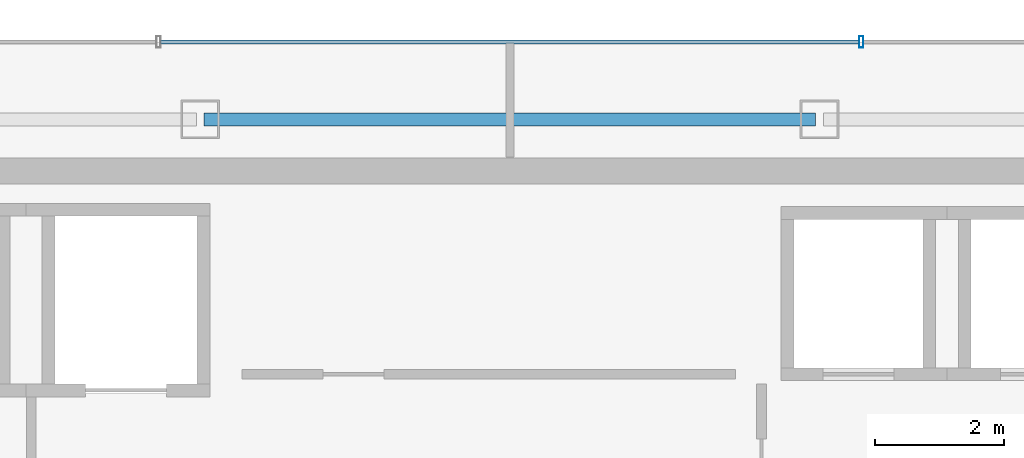
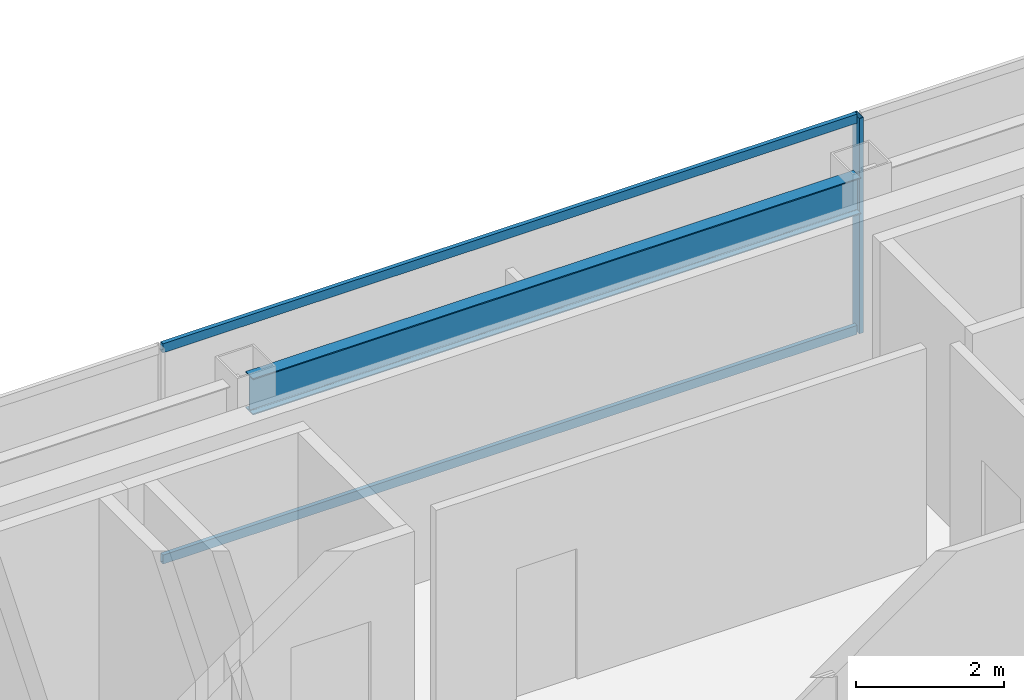
# One storey, part 10 of 23: 3 members, 1 beam, 1 element without a shape of its own.
"""IFC4 building model written with IfcOpenShell, lengths in metres."""

from ifc_helpers import new_model, si_unit, direction, frame, origin, origin_2d, place, context, subcontext, project, spatial, hollow_rectangle, i_section, extrude, material, material_profile, profile_set, type_object, element, aggregate, save


model = new_model("IFC4")

# Units and contexts
model_context = context("Model", 3, precision=1e-05, world=origin(), true_north=direction((0.0, 1.0)))
body_context = subcontext(model_context, "Body", "Model", "MODEL_VIEW")
ifc_project = project(units=[si_unit("LENGTHUNIT", "METRE"), si_unit("AREAUNIT", "SQUARE_METRE"), si_unit("VOLUMEUNIT", "CUBIC_METRE"), si_unit("PLANEANGLEUNIT", "RADIAN"), si_unit("MASSUNIT", "GRAM", prefix="KILO")], contexts=[model_context])

# Site, building, storey
site_placement = place(None, origin())
site = spatial("IfcSite", under=ifc_project, at=site_placement, CompositionType="ELEMENT")
building_placement = place(site_placement, origin())
building = spatial("IfcBuilding", under=site, at=building_placement, Name="Saevonmaru Cultural Tower", CompositionType="ELEMENT")
storey_placement = place(building_placement, frame((0.0, 0.0, 283.800048828125)))
storey = spatial("IfcBuildingStorey", under=building, at=storey_placement, Name="L67", CompositionType="ELEMENT", Elevation=283.800048828125)

# Beam
ifc_material_1 = material(Name="Steel SM355", Category="steel")
ifc_material_profile_1 = material_profile(ifc_material_1, i_section(OverallWidth=0.199951171875, OverallDepth=0.60009765625, WebThickness=0.010986328125, FlangeThickness=0.01708984375, FilletRadius=0.02197265625, at=origin_2d()), Name="H-600x200x11x17")
ifc_profile_set_1 = profile_set([ifc_material_profile_1], Name="Steel SM355")
beam_type = type_object("IfcBeamType", Name="BM-SP-H600", PredefinedType="SPANDREL", material=ifc_profile_set_1)
beam_placement = place(storey_placement, frame((25.260009765625, 54.800048828125, 3.25), z_axis=(1.0, 0.0, 0.0), x_axis=(0.0, 1.0, 0.0)))
element("IfcBeam", 1, at=beam_placement, inside=storey, type_object=beam_type, Name="L67 North Spine Girder 3", PredefinedType="SPANDREL", context=body_context, shape_type="SweptSolid", body=[
    extrude(i_section(OverallWidth=0.199951171875, OverallDepth=0.60009765625, WebThickness=0.010986328125, FlangeThickness=0.01708984375, FilletRadius=0.02197265625, at=origin_2d()), origin(), (0.0, 0.0, 1.0), 9.47998046875),
])

# Curtain wall, members
ifc_material_2 = material(Name="Satin Bronze Anodised Aluminium", Category="aluminium")
curtain_wall_type = type_object("IfcCurtainWallType", Name="CW-TYP-B", PredefinedType="NOTDEFINED", material=ifc_material_2)
curtain_wall_placement = place(storey_placement, origin())
curtain_wall = element("IfcCurtainWall", 2, at=curtain_wall_placement, inside=storey, type_object=curtain_wall_type, Name="L67 North Spine Unitised Curtain Wall E10B", PredefinedType="NOTDEFINED")
ifc_material_profile_2 = material_profile(ifc_material_2, hollow_rectangle(XDim=0.06494140625, YDim=0.179931640625, WallThickness=0.00390625, at=origin_2d()), Name="ALU-MULL-180x65x4")
ifc_profile_set_2 = profile_set([ifc_material_profile_2], Name="Satin Bronze Anodised Aluminium")
member_type_1 = type_object("IfcMemberType", Name="ML-CW-180x65", PredefinedType="MULLION", material=ifc_profile_set_2)
member_1_placement = place(storey_placement, frame((35.44677734375, 56.0, 0.0), z_axis=(0.0, 0.0, 1.0), x_axis=(-1.0, 0.0, 0.0)))
member_1 = element("IfcMember", 3, at=member_1_placement, type_object=member_type_1, Name="CW-TW-L67-E10B mullion 2", PredefinedType="MULLION", context=body_context, shape_type="SweptSolid", body=[
    extrude(hollow_rectangle(XDim=0.06494140625, YDim=0.179931640625, WallThickness=0.00390625, at=origin_2d()), origin(), (0.0, 0.0, 1.0), 3.550048828125),
])
ifc_material_profile_3 = material_profile(ifc_material_2, hollow_rectangle(XDim=0.06494140625, YDim=0.14990234375, WallThickness=0.00390625, at=origin_2d()), Name="ALU-TRAN-150x65x4")
ifc_profile_set_3 = profile_set([ifc_material_profile_3], Name="Satin Bronze Anodised Aluminium")
member_type_2 = type_object("IfcMemberType", Name="TR-CW-150x65", PredefinedType="USERDEFINED", material=ifc_profile_set_3)
member_2_placement = place(storey_placement, frame((35.4140625, 56.0, 0.032470703125), z_axis=(-1.0, 0.0, 0.0), x_axis=(0.0, -1.0, 0.0)))
member_2 = element("IfcMember", 4, at=member_2_placement, type_object=member_type_2, Name="CW-TW-L67-E10B transom 2.1", ObjectType="TRANSOM", PredefinedType="USERDEFINED", context=body_context, shape_type="SweptSolid", body=[
    extrude(hollow_rectangle(XDim=0.06494140625, YDim=0.14990234375, WallThickness=0.00390625, at=origin_2d()), origin(), (0.0, 0.0, 1.0), 10.828125),
])
member_3_placement = place(storey_placement, frame((35.4140625, 56.0, 3.517333984375), z_axis=(-1.0, 0.0, 0.0), x_axis=(0.0, -1.0, 0.0)))
member_3 = element("IfcMember", 5, at=member_3_placement, type_object=member_type_2, Name="CW-TW-L67-E10B transom 2.2", ObjectType="TRANSOM", PredefinedType="USERDEFINED", context=body_context, shape_type="SweptSolid", body=[
    extrude(hollow_rectangle(XDim=0.06494140625, YDim=0.14990234375, WallThickness=0.00390625, at=origin_2d()), origin(), (0.0, 0.0, 1.0), 10.828125),
])
aggregate(curtain_wall, [member_1, member_2, member_3])

save(model, "model.ifc")
